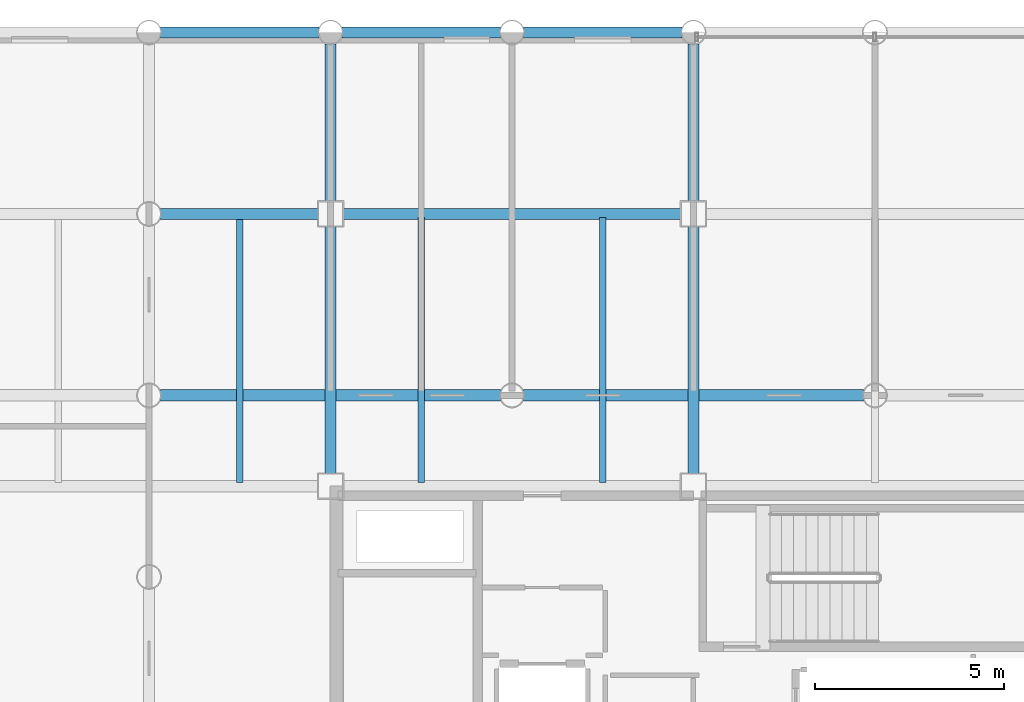
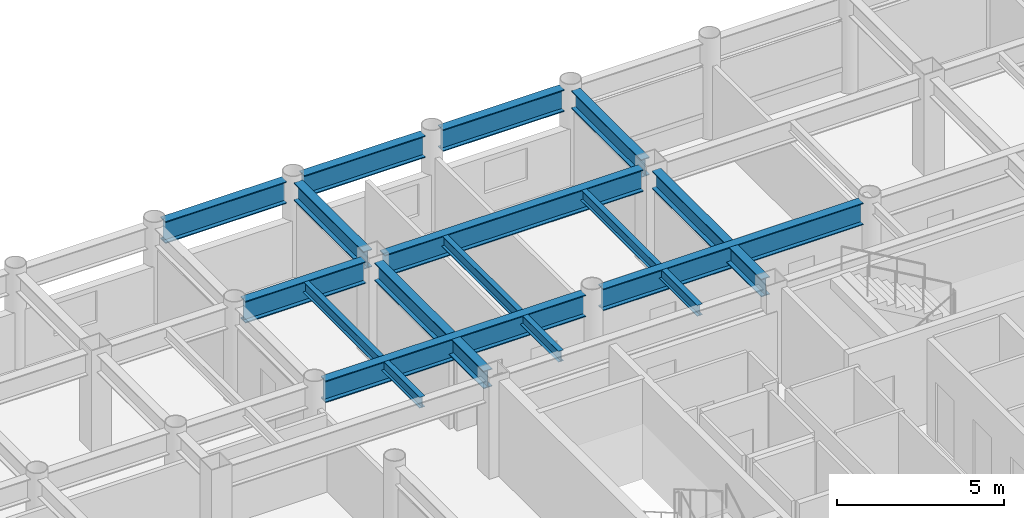
# One storey, part 10 of 20: 14 beams.
"""IFC4 building model written with IfcOpenShell, lengths in metres."""

from ifc_helpers import new_model, si_unit, direction, frame, origin, origin_2d, place, context, subcontext, project, spatial, i_section, extrude, material, material_profile, profile_set, type_object, element, save


model = new_model("IFC4")

# Units and contexts
model_context = context("Model", 3, precision=1e-05, world=origin(), true_north=direction((0.0, 1.0)))
body_context = subcontext(model_context, "Body", "Model", "MODEL_VIEW")
ifc_project = project(units=[si_unit("LENGTHUNIT", "METRE"), si_unit("AREAUNIT", "SQUARE_METRE"), si_unit("VOLUMEUNIT", "CUBIC_METRE"), si_unit("PLANEANGLEUNIT", "RADIAN"), si_unit("MASSUNIT", "GRAM", prefix="KILO")], contexts=[model_context])

# Site, building, storey
site_placement = place(None, origin())
site = spatial("IfcSite", under=ifc_project, at=site_placement, CompositionType="ELEMENT")
building_placement = place(site_placement, origin())
building = spatial("IfcBuilding", under=site, at=building_placement, Name="Kallvorn Hotel Tower", CompositionType="ELEMENT")
storey_placement = place(building_placement, frame((0.0, 0.0, 176.60009765625)))
storey = spatial("IfcBuildingStorey", under=building, at=storey_placement, Name="L44", CompositionType="ELEMENT", Elevation=176.60009765625)

# Beams
ifc_material_1 = material(Name="Structural steel S355JR", Category="steel")
ifc_material_profile_1 = material_profile(ifc_material_1, i_section(OverallWidth=0.300048828125, OverallDepth=0.64990234375, WebThickness=0.01611328125, FlangeThickness=0.031005859375, at=origin_2d()), Name="HE 650 B")
ifc_profile_set_1 = profile_set([ifc_material_profile_1], Name="Structural steel S355JR")
beam_type_1 = type_object("IfcBeamType", Name="BM_HE650B", PredefinedType="BEAM", material=ifc_profile_set_1)
beam_1_placement = place(storey_placement, frame((-14.39990234375, 7.52490234375, 3.15478515625), z_axis=(0.0, 1.0, 0.0), x_axis=(-1.0, 0.0, 0.0)))
element("IfcBeam", 1, at=beam_1_placement, inside=storey, type_object=beam_type_1, Name="L45 Primary Y-Girder 101", PredefinedType="BEAM", context=body_context, shape_type="SweptSolid", body=[
    extrude(i_section(OverallWidth=0.300048828125, OverallDepth=0.64990234375, WebThickness=0.01611328125, FlangeThickness=0.031005859375, at=origin_2d()), origin(), (0.0, 0.0, 1.0), 6.550048828125),
])
beam_2_placement = place(storey_placement, frame((-14.39990234375, 14.72509765625, 3.15478515625), z_axis=(0.0, 1.0, 0.0), x_axis=(-1.0, 0.0, 0.0)))
element("IfcBeam", 2, at=beam_2_placement, inside=storey, type_object=beam_type_1, Name="L45 Primary Y-Girder 102", PredefinedType="BEAM", context=body_context, shape_type="SweptSolid", body=[
    extrude(i_section(OverallWidth=0.300048828125, OverallDepth=0.64990234375, WebThickness=0.01611328125, FlangeThickness=0.031005859375, at=origin_2d()), origin(), (0.0, 0.0, 1.0), 4.169921875),
])
beam_3_placement = place(storey_placement, frame((-4.800048828125, 7.52490234375, 3.15478515625), z_axis=(0.0, 1.0, 0.0), x_axis=(-1.0, 0.0, 0.0)))
element("IfcBeam", 3, at=beam_3_placement, inside=storey, type_object=beam_type_1, Name="L45 Primary Y-Girder 109", PredefinedType="BEAM", context=body_context, shape_type="SweptSolid", body=[
    extrude(i_section(OverallWidth=0.300048828125, OverallDepth=0.64990234375, WebThickness=0.01611328125, FlangeThickness=0.031005859375, at=origin_2d()), origin(), (0.0, 0.0, 1.0), 6.550048828125),
])
beam_4_placement = place(storey_placement, frame((-4.800048828125, 14.72509765625, 3.15478515625), z_axis=(0.0, 1.0, 0.0), x_axis=(-1.0, 0.0, 0.0)))
element("IfcBeam", 4, at=beam_4_placement, inside=storey, type_object=beam_type_1, Name="L45 Primary Y-Girder 110", PredefinedType="BEAM", context=body_context, shape_type="SweptSolid", body=[
    extrude(i_section(OverallWidth=0.300048828125, OverallDepth=0.64990234375, WebThickness=0.01611328125, FlangeThickness=0.031005859375, at=origin_2d()), origin(), (0.0, 0.0, 1.0), 4.169921875),
])
ifc_material_2 = material(Name="Structural steel S355JR", Category="steel")
ifc_material_profile_2 = material_profile(ifc_material_2, i_section(OverallWidth=0.300048828125, OverallDepth=0.800048828125, WebThickness=0.017578125, FlangeThickness=0.032958984375, at=origin_2d()), Name="HE 800 B")
ifc_profile_set_2 = profile_set([ifc_material_profile_2], Name="Structural steel S355JR")
beam_type_2 = type_object("IfcBeamType", Name="BM_HE800B", PredefinedType="BEAM", material=ifc_profile_set_2)
for number, where, z_axis, x_axis, name in (
    (5, (-18.89501953125, 9.60009765625, 3.079833984375), (1.0, 0.0, 0.0), (0.0, 1.0, 0.0), "L45 Primary X-Girder 45"),
    (6, (-9.294921875, 9.60009765625, 3.079833984375), (1.0, 0.0, 0.0), (0.0, 1.0, 0.0), "L45 Primary X-Girder 46"),
):
    element("IfcBeam", number, at=place(storey_placement, frame(where, z_axis=z_axis, x_axis=x_axis)), inside=storey, type_object=beam_type_2, Name=name, PredefinedType="BEAM", context=body_context, shape_type="SweptSolid", body=[
        extrude(i_section(OverallWidth=0.300048828125, OverallDepth=0.800048828125, WebThickness=0.017578125, FlangeThickness=0.032958984375, at=origin_2d()), origin(), (0.0, 0.0, 1.0), 8.989990234375),
    ])
beam_5_placement = place(storey_placement, frame((-18.89501953125, 14.39990234375, 3.079833984375), z_axis=(1.0, 0.0, 0.0), x_axis=(0.0, 1.0, 0.0)))
element("IfcBeam", 7, at=beam_5_placement, inside=storey, type_object=beam_type_2, Name="L45 Primary X-Girder 54", PredefinedType="BEAM", context=body_context, shape_type="SweptSolid", body=[
    extrude(i_section(OverallWidth=0.300048828125, OverallDepth=0.800048828125, WebThickness=0.017578125, FlangeThickness=0.032958984375, at=origin_2d()), origin(), (0.0, 0.0, 1.0), 4.169921875),
])
beam_6_placement = place(storey_placement, frame((-14.074951171875, 14.39990234375, 3.079833984375), z_axis=(1.0, 0.0, 0.0), x_axis=(0.0, 1.0, 0.0)))
element("IfcBeam", 8, at=beam_6_placement, inside=storey, type_object=beam_type_2, Name="L45 Primary X-Girder 55", PredefinedType="BEAM", context=body_context, shape_type="SweptSolid", body=[
    extrude(i_section(OverallWidth=0.300048828125, OverallDepth=0.800048828125, WebThickness=0.017578125, FlangeThickness=0.032958984375, at=origin_2d()), origin(), (0.0, 0.0, 1.0), 8.949951171875),
])
for number, where, z_axis, x_axis, name in (
    (9, (-18.89501953125, 19.199951171875, 3.079833984375), (1.0, 0.0, 0.0), (0.0, 1.0, 0.0), "L45 Primary X-Girder 63"),
    (10, (-14.094970703125, 19.199951171875, 3.079833984375), (1.0, 0.0, 0.0), (0.0, 1.0, 0.0), "L45 Primary X-Girder 64"),
    (11, (-9.294921875, 19.199951171875, 3.079833984375), (1.0, 0.0, 0.0), (0.0, 1.0, 0.0), "L45 Primary X-Girder 65"),
):
    element("IfcBeam", number, at=place(storey_placement, frame(where, z_axis=z_axis, x_axis=x_axis)), inside=storey, type_object=beam_type_2, Name=name, PredefinedType="BEAM", context=body_context, shape_type="SweptSolid", body=[
        extrude(i_section(OverallWidth=0.300048828125, OverallDepth=0.800048828125, WebThickness=0.017578125, FlangeThickness=0.032958984375, at=origin_2d()), origin(), (0.0, 0.0, 1.0), 4.18994140625),
    ])
ifc_material_3 = material(Name="Structural steel S355JR", Category="steel")
ifc_material_profile_3 = material_profile(ifc_material_3, i_section(OverallWidth=0.179931640625, OverallDepth=0.39990234375, WebThickness=0.008544921875, FlangeThickness=0.013427734375, at=origin_2d()), Name="IPE 400")
ifc_profile_set_3 = profile_set([ifc_material_profile_3], Name="Structural steel S355JR")
beam_type_3 = type_object("IfcBeamType", Name="BM_IPE400", PredefinedType="JOIST", material=ifc_profile_set_3)
for number, where, z_axis, x_axis, name in (
    (12, (-16.800048828125, 7.300048828125, 3.27978515625), (0.0, 1.0, 0.0), (-1.0, 0.0, 0.0), "L45 Secondary Composite Joist 195"),
    (13, (-12.0, 7.300048828125, 3.27978515625), (0.0, 1.0, 0.0), (-1.0, 0.0, 0.0), "L45 Secondary Composite Joist 197"),
    (14, (-7.199951171875, 7.300048828125, 3.27978515625), (0.0, 1.0, 0.0), (-1.0, 0.0, 0.0), "L45 Secondary Composite Joist 199"),
):
    element("IfcBeam", number, at=place(storey_placement, frame(where, z_axis=z_axis, x_axis=x_axis)), inside=storey, type_object=beam_type_3, Name=name, PredefinedType="JOIST", context=body_context, shape_type="SweptSolid", body=[
        extrude(i_section(OverallWidth=0.179931640625, OverallDepth=0.39990234375, WebThickness=0.008544921875, FlangeThickness=0.013427734375, at=origin_2d()), origin(), (0.0, 0.0, 1.0), 7.0),
    ])

save(model, "model.ifc")
